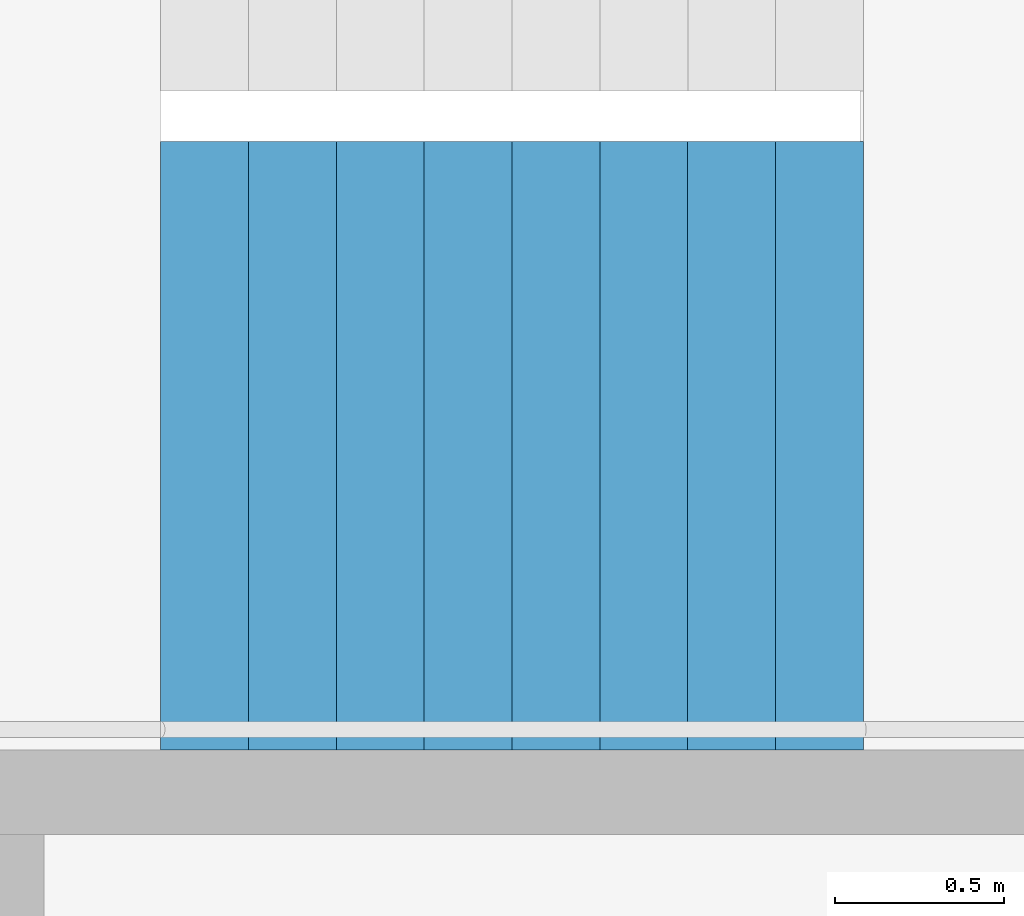
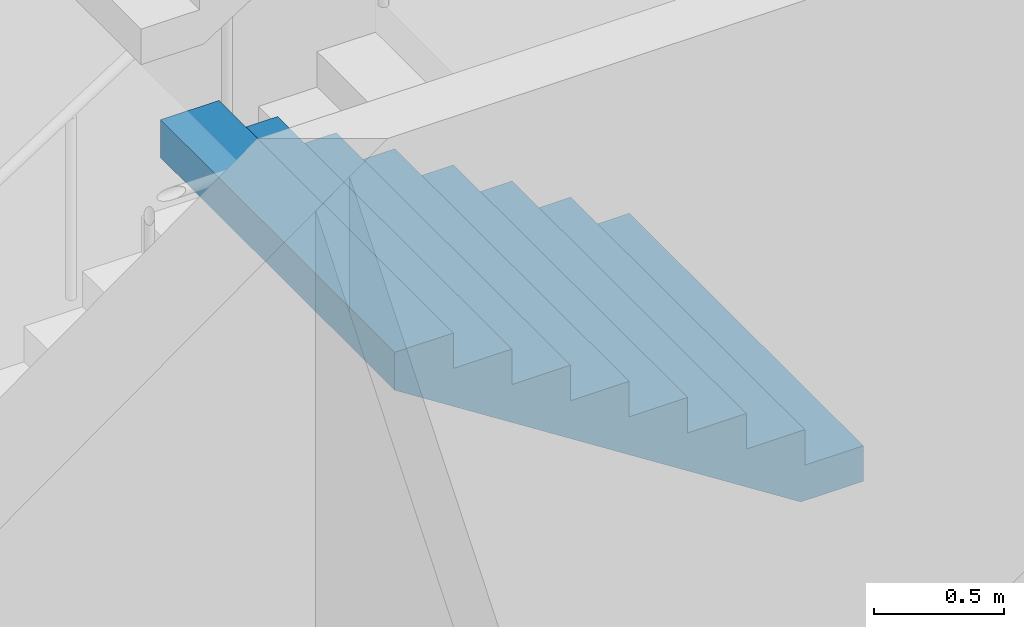
# One storey, part 31 of 35: 1 stair flight, 1 element without a shape of its own.
"""IFC4 building model written with IfcOpenShell, lengths in metres."""

import ifcopenshell
import ifcopenshell.guid

model = None  # the IFC model being written
_history = None  # IfcOwnerHistory: only IFC2X3 demands one
_inside = {}  # id of a spatial element -> (the spatial element, [elements in it])
_under = {}  # id of a project, library or spatial element -> (it, [spatial elements below it])
_declared = {}  # id of a project -> (the project, [libraries it declares])
_typed = {}  # id of a type object -> (the type object, [elements of that type])
_made_of = {}  # id of a material, layer set ... -> (it, [elements and type objects made of it])


def new_model(schema):
    """Start an empty IFC model of exactly this schema.

    Asked for "IFC4X3", IfcOpenShell would pick the latest addendum, in which some entities
    have other attributes; the version numbers below select the first issue.
    IFC2X3 requires an IfcOwnerHistory on every rooted entity: one is made here for all.
    """
    global model, _history
    if schema == "IFC4X3":
        model = ifcopenshell.file(schema_version=(4, 3, 0, 0))
    else:
        model = ifcopenshell.file(schema=schema)
    _inside.clear()
    _under.clear()
    _declared.clear()
    _typed.clear()
    _made_of.clear()
    _history = None
    if model.schema == "IFC2X3":
        org = make("IfcOrganization", Name="unknown")
        user = make(
            "IfcPersonAndOrganization",
            ThePerson=make("IfcPerson", FamilyName="unknown"),
            TheOrganization=org,
        )
        app = make(
            "IfcApplication",
            ApplicationDeveloper=org,
            Version="unknown",
            ApplicationFullName="unknown",
            ApplicationIdentifier="unknown",
        )
        _history = make(
            "IfcOwnerHistory",
            OwningUser=user,
            OwningApplication=app,
            ChangeAction="ADDED",
            CreationDate=0,
        )
    return model


def make(cls, **values):
    """One entity of the class cls with the attributes given. An attribute that is None is left unset."""
    return model.create_entity(
        cls, **{name: value for name, value in values.items() if value is not None}
    )


def rooted(cls, **values):
    """An entity with a GlobalId (a new one), such as an element, a storey or a relation."""
    return make(cls, GlobalId=ifcopenshell.guid.new(), OwnerHistory=_history, **values)


def si_unit(unit_type, name, prefix=None):
    """IfcSIUnit, for example si_unit("LENGTHUNIT", "METRE", prefix="MILLI")."""
    return make("IfcSIUnit", UnitType=unit_type, Prefix=prefix, Name=name)


def assignment(units):
    """IfcUnitAssignment: the units of a project."""
    return None if units is None else make("IfcUnitAssignment", Units=units)


def point(xyz):
    """IfcCartesianPoint."""
    return None if xyz is None else make("IfcCartesianPoint", Coordinates=xyz)


def direction(xyz):
    """IfcDirection."""
    return None if xyz is None else make("IfcDirection", DirectionRatios=xyz)


def frame(location, z_axis=None, x_axis=None):
    """IfcAxis2Placement3D, a coordinate frame: its origin and axes. An axis left out is left unset."""
    return make(
        "IfcAxis2Placement3D",
        Location=point(location),
        Axis=direction(z_axis),
        RefDirection=direction(x_axis),
    )


def origin():
    """The frame at (0, 0, 0) with its axes left unset."""
    return frame((0.0, 0.0, 0.0))


def place(relative_to, where):
    """IfcLocalPlacement: puts the frame where relative to a parent placement (None: the world)."""
    return make(
        "IfcLocalPlacement", PlacementRelTo=relative_to, RelativePlacement=where
    )


def context(
    kind, dimensions, precision=None, world=None, true_north=None, identifier=None
):
    """IfcGeometricRepresentationContext, for example the 3D "Model" context."""
    return make(
        "IfcGeometricRepresentationContext",
        ContextIdentifier=identifier,
        ContextType=kind,
        CoordinateSpaceDimension=dimensions,
        Precision=precision,
        WorldCoordinateSystem=world,
        TrueNorth=true_north,
    )


def subcontext(parent, identifier, kind, view, scale=None):
    """IfcGeometricRepresentationSubContext, for example "Body" below "Model"."""
    return make(
        "IfcGeometricRepresentationSubContext",
        ContextIdentifier=identifier,
        ContextType=kind,
        ParentContext=parent,
        TargetScale=scale,
        TargetView=view,
    )


def project(units=None, contexts=None):
    """IfcProject with its units and contexts."""
    return rooted(
        "IfcProject",
        Name="project",
        RepresentationContexts=contexts,
        UnitsInContext=assignment(units),
    )


def spatial(cls, under=None, at=None, **own):
    """A site, building, storey or space (cls), placed at a placement, below another one or the project."""
    s = rooted(cls, ObjectPlacement=at, **own)
    if under is not None:
        _under.setdefault(under.id(), (under, []))[1].append(s)
    return s


def point_list(points):
    """IfcCartesianPointList2D or 3D."""
    cls = (
        "IfcCartesianPointList2D" if len(points[0]) == 2 else "IfcCartesianPointList3D"
    )
    return make(cls, CoordList=points)


def triangles(points, corners, closed=None, point_numbers=None):
    """IfcTriangulatedFaceSet: each triangle names its three corners, points numbered from 1."""
    return make(
        "IfcTriangulatedFaceSet",
        Coordinates=point_list(points),
        Closed=closed,
        CoordIndex=corners,
        PnIndex=point_numbers,
    )


def shape(context_of_items, identifier, shape_type, items):
    """IfcShapeRepresentation: the items that make up one representation, for example the "Body"."""
    return make(
        "IfcShapeRepresentation",
        ContextOfItems=context_of_items,
        RepresentationIdentifier=identifier,
        RepresentationType=shape_type,
        Items=items,
    )


def material(Name=None, Category=None):
    """IfcMaterial."""
    return make("IfcMaterial", Name=Name, Category=Category)


def made_of(thing, what):
    """Note that an element or type object is made of a material, layer set ...; save() writes the relation."""
    if what is not None:
        _made_of.setdefault(what.id(), (what, []))[1].append(thing)
    return thing


def type_object(cls, material=None, **own):
    """A type object (cls), such as IfcWallType, which elements share."""
    return made_of(rooted(cls, **own), material)


def element(
    cls,
    number,
    at=None,
    inside=None,
    cuts=None,
    type_object=None,
    material=None,
    context=None,
    identifier="Body",
    shape_type=None,
    held_by="IfcProductDefinitionShape",
    body=None,
    shapes=None,
    **own,
):
    """One element of the class cls, such as IfcWall. Its Tag is "e" and its number.

    at: its placement. inside: the storey or other place that contains it. cuts: it is an
    opening in that element (IfcRelVoidsElement). A single representation is given by context,
    identifier, shape_type and body (its items); several are given by shapes. held_by: the class
    of the entity that holds the representations. save() writes the other relations.
    """
    e = rooted(cls, Tag="e%d" % number, ObjectPlacement=at, **own)
    if body is not None:
        shapes = [shape(context, identifier, shape_type, body)]
    if shapes is not None:
        e.Representation = make(held_by, Representations=shapes)
    if inside is not None:
        _inside.setdefault(inside.id(), (inside, []))[1].append(e)
    if cuts is not None:
        rooted(
            "IfcRelVoidsElement", RelatingBuildingElement=cuts, RelatedOpeningElement=e
        )
    if type_object is not None:
        _typed.setdefault(type_object.id(), (type_object, []))[1].append(e)
    return made_of(e, material)


def aggregate(whole, parts):
    """IfcRelAggregates: a whole, such as a stair, and the parts it consists of."""
    return rooted("IfcRelAggregates", RelatingObject=whole, RelatedObjects=parts)


def save(model, path):
    """Write the relations noted so far, then the file.

    IfcRelAggregates (storeys below a building ...), IfcRelContainedInSpatialStructure (elements
    in a storey), IfcRelDefinesByType, IfcRelAssociatesMaterial and IfcRelDeclares: one each for
    every whole, place, type object, material and project.
    """
    for whole, parts in _under.values():
        aggregate(whole, parts)
    for where, things in _inside.values():
        rooted(
            "IfcRelContainedInSpatialStructure",
            RelatedElements=things,
            RelatingStructure=where,
        )
    for kind, things in _typed.values():
        rooted("IfcRelDefinesByType", RelatedObjects=things, RelatingType=kind)
    for what, things in _made_of.values():
        rooted("IfcRelAssociatesMaterial", RelatedObjects=things, RelatingMaterial=what)
    for by, libraries in _declared.values():
        rooted("IfcRelDeclares", RelatingContext=by, RelatedDefinitions=libraries)
    model.write(path)


model = new_model("IFC4")

# Units and contexts
model_context = context("Model", 3, precision=1e-05, world=origin(), true_north=direction((0.0, 1.0)))
body_context = subcontext(model_context, "Body", "Model", "MODEL_VIEW")
ifc_project = project(units=[si_unit("LENGTHUNIT", "METRE"), si_unit("AREAUNIT", "SQUARE_METRE"), si_unit("VOLUMEUNIT", "CUBIC_METRE"), si_unit("PLANEANGLEUNIT", "RADIAN"), si_unit("MASSUNIT", "GRAM", prefix="KILO")], contexts=[model_context])

# Site, building, storey
site_placement = place(None, origin())
site = spatial("IfcSite", under=ifc_project, at=site_placement, CompositionType="ELEMENT")
building_placement = place(site_placement, origin())
building = spatial("IfcBuilding", under=site, at=building_placement, Name="Hakoniwa Tower and Hamabe Station Hall", CompositionType="ELEMENT")
storey_placement = place(building_placement, frame((0.0, 0.0, 270.60009765625)))
storey = spatial("IfcBuildingStorey", under=building, at=storey_placement, Name="L76", CompositionType="ELEMENT", Elevation=270.60009765625)

# Stair, stair flight
ifc_material_1 = material(Name="Concrete C40", Category="concrete")
stair_type = type_object("IfcStairType", Name="ESCAPE STAIR 1800", PredefinedType="HALF_TURN_STAIR", material=ifc_material_1)
stair_placement = place(storey_placement, origin())
stair = element("IfcStair", 1, at=stair_placement, inside=storey, type_object=stair_type, Name="Escape stair ST-3 L76", PredefinedType="HALF_TURN_STAIR")
ifc_material_2 = material(Name="Concrete C40", Category="concrete")
stair_flight_type = type_object("IfcStairFlightType", Name="STAIR FLIGHT 1800", PredefinedType="STRAIGHT", material=ifc_material_2)
stair_flight_placement = place(storey_placement, frame((24.39990234375, 4.64990234375, 3.0), z_axis=(0.0, 0.0, 1.0), x_axis=(-1.0, 0.0, 0.0)))
stair_flight = element("IfcStairFlight", 2, at=stair_flight_placement, type_object=stair_flight_type, Name="ST-3 flight 3", NumberOfRisers=9, NumberOfTreads=8, PredefinedType="STRAIGHT", RiserHeight=0.166666667, TreadLength=0.26, context=body_context, shape_type="Tessellation", body=[
    triangles([(0.0, 0.89990234375, 0.0), (0.260009765625, 0.89990234375, 0.0), (0.27783203125, 0.89990234375, 0.0), (0.52001953125, 0.89990234375, 0.1552734375), (0.780029296875, 0.89990234375, 0.322021484375), (1.0400390625, 0.89990234375, 0.488525390625), (1.300048828125, 0.89990234375, 0.6552734375), (1.56005859375, 0.89990234375, 0.822021484375), (1.820068359375, 0.89990234375, 0.988525390625), (2.080078125, 0.89990234375, 1.1552734375), (2.080078125, 0.89990234375, 1.333251953125), (1.820068359375, 0.89990234375, 1.333251953125), (1.820068359375, 0.89990234375, 1.166748046875), (1.56005859375, 0.89990234375, 1.166748046875), (1.56005859375, 0.89990234375, 1.0), (1.300048828125, 0.89990234375, 1.0), (1.300048828125, 0.89990234375, 0.833251953125), (1.0400390625, 0.89990234375, 0.833251953125), (1.0400390625, 0.89990234375, 0.666748046875), (0.780029296875, 0.89990234375, 0.666748046875), (0.780029296875, 0.89990234375, 0.5), (0.52001953125, 0.89990234375, 0.5), (0.52001953125, 0.89990234375, 0.333251953125), (0.27783203125, 0.89990234375, 0.333251953125), (0.260009765625, 0.89990234375, 0.333251953125), (0.260009765625, 0.89990234375, 0.166748046875), (0.0, 0.89990234375, 0.166748046875), (0.0, 0.06005859375, 0.0), (0.260009765625, 0.06005859375, 0.0), (0.27783203125, 0.06005859375, 0.0), (0.52001953125, 0.06005859375, 0.1552734375), (0.780029296875, 0.06005859375, 0.322021484375), (1.0400390625, 0.06005859375, 0.488525390625), (1.300048828125, 0.06005859375, 0.6552734375), (1.56005859375, 0.06005859375, 0.822021484375), (1.820068359375, 0.06005859375, 0.988525390625), (2.080078125, 0.06005859375, 1.1552734375), (2.080078125, 0.06005859375, 1.333251953125), (1.820068359375, 0.06005859375, 1.333251953125), (1.820068359375, 0.06005859375, 1.166748046875), (1.56005859375, 0.06005859375, 1.166748046875), (1.56005859375, 0.06005859375, 1.0), (1.300048828125, 0.06005859375, 1.0), (1.300048828125, 0.06005859375, 0.833251953125), (1.0400390625, 0.06005859375, 0.833251953125), (1.0400390625, 0.06005859375, 0.666748046875), (0.780029296875, 0.06005859375, 0.666748046875), (0.780029296875, 0.06005859375, 0.5), (0.52001953125, 0.06005859375, 0.5), (0.52001953125, 0.06005859375, 0.333251953125), (0.27783203125, 0.06005859375, 0.333251953125), (0.260009765625, 0.06005859375, 0.333251953125), (0.260009765625, 0.06005859375, 0.166748046875), (0.0, 0.06005859375, 0.166748046875), (0.0, 0.04296875, 0.0), (0.260009765625, 0.04296875, 0.0), (0.27783203125, 0.04296875, 0.0), (0.52001953125, 0.04296875, 0.1552734375), (0.780029296875, 0.04296875, 0.322021484375), (1.0400390625, 0.04296875, 0.488525390625), (1.300048828125, 0.04296875, 0.6552734375), (1.56005859375, 0.04296875, 0.822021484375), (1.820068359375, 0.04296875, 0.988525390625), (2.080078125, 0.04296875, 1.1552734375), (2.080078125, 0.04296875, 1.333251953125), (1.820068359375, 0.04296875, 1.333251953125), (1.820068359375, 0.04296875, 1.166748046875), (1.56005859375, 0.04296875, 1.166748046875), (1.56005859375, 0.04296875, 1.0), (1.300048828125, 0.04296875, 1.0), (1.300048828125, 0.04296875, 0.833251953125), (1.0400390625, 0.04296875, 0.833251953125), (1.0400390625, 0.04296875, 0.666748046875), (0.780029296875, 0.04296875, 0.666748046875), (0.780029296875, 0.04296875, 0.5), (0.52001953125, 0.04296875, 0.5), (0.52001953125, 0.04296875, 0.333251953125), (0.27783203125, 0.04296875, 0.333251953125), (0.260009765625, 0.04296875, 0.333251953125), (0.260009765625, 0.04296875, 0.166748046875), (0.0, 0.04296875, 0.166748046875), (0.0, 0.025634765625, 0.0), (0.260009765625, 0.025634765625, 0.0), (0.27783203125, 0.025634765625, 0.0), (0.52001953125, 0.025634765625, 0.1552734375), (0.780029296875, 0.025634765625, 0.322021484375), (1.0400390625, 0.025634765625, 0.488525390625), (1.300048828125, 0.025634765625, 0.6552734375), (1.56005859375, 0.025634765625, 0.822021484375), (1.820068359375, 0.025634765625, 0.988525390625), (2.080078125, 0.025634765625, 1.1552734375), (2.080078125, 0.025634765625, 1.333251953125), (1.820068359375, 0.025634765625, 1.333251953125), (1.820068359375, 0.025634765625, 1.166748046875), (1.56005859375, 0.025634765625, 1.166748046875), (1.56005859375, 0.025634765625, 1.0), (1.300048828125, 0.025634765625, 1.0), (1.300048828125, 0.025634765625, 0.833251953125), (1.0400390625, 0.025634765625, 0.833251953125), (1.0400390625, 0.025634765625, 0.666748046875), (0.780029296875, 0.025634765625, 0.666748046875), (0.780029296875, 0.025634765625, 0.5), (0.52001953125, 0.025634765625, 0.5), (0.52001953125, 0.025634765625, 0.333251953125), (0.27783203125, 0.025634765625, 0.333251953125), (0.260009765625, 0.025634765625, 0.333251953125), (0.260009765625, 0.025634765625, 0.166748046875), (0.0, 0.025634765625, 0.166748046875), (0.0, 0.008544921875, 0.0), (0.260009765625, 0.008544921875, 0.0), (0.27783203125, 0.008544921875, 0.0), (0.52001953125, 0.008544921875, 0.1552734375), (0.780029296875, 0.008544921875, 0.322021484375), (1.0400390625, 0.008544921875, 0.488525390625), (1.300048828125, 0.008544921875, 0.6552734375), (1.56005859375, 0.008544921875, 0.822021484375), (1.820068359375, 0.008544921875, 0.988525390625), (2.080078125, 0.008544921875, 1.1552734375), (2.080078125, 0.008544921875, 1.333251953125), (1.820068359375, 0.008544921875, 1.333251953125), (1.820068359375, 0.008544921875, 1.166748046875), (1.56005859375, 0.008544921875, 1.166748046875), (1.56005859375, 0.008544921875, 1.0), (1.300048828125, 0.008544921875, 1.0), (1.300048828125, 0.008544921875, 0.833251953125), (1.0400390625, 0.008544921875, 0.833251953125), (1.0400390625, 0.008544921875, 0.666748046875), (0.780029296875, 0.008544921875, 0.666748046875), (0.780029296875, 0.008544921875, 0.5), (0.52001953125, 0.008544921875, 0.5), (0.52001953125, 0.008544921875, 0.333251953125), (0.27783203125, 0.008544921875, 0.333251953125), (0.260009765625, 0.008544921875, 0.333251953125), (0.260009765625, 0.008544921875, 0.166748046875), (0.0, 0.008544921875, 0.166748046875), (0.0, -0.008544921875, 0.0), (0.260009765625, -0.008544921875, 0.0), (0.27783203125, -0.008544921875, 0.0), (0.52001953125, -0.008544921875, 0.1552734375), (0.780029296875, -0.008544921875, 0.322021484375), (1.0400390625, -0.008544921875, 0.488525390625), (1.300048828125, -0.008544921875, 0.6552734375), (1.56005859375, -0.008544921875, 0.822021484375), (1.820068359375, -0.008544921875, 0.988525390625), (2.080078125, -0.008544921875, 1.1552734375), (2.080078125, -0.008544921875, 1.333251953125), (1.820068359375, -0.008544921875, 1.333251953125), (1.820068359375, -0.008544921875, 1.166748046875), (1.56005859375, -0.008544921875, 1.166748046875), (1.56005859375, -0.008544921875, 1.0), (1.300048828125, -0.008544921875, 1.0), (1.300048828125, -0.008544921875, 0.833251953125), (1.0400390625, -0.008544921875, 0.833251953125), (1.0400390625, -0.008544921875, 0.666748046875), (0.780029296875, -0.008544921875, 0.666748046875), (0.780029296875, -0.008544921875, 0.5), (0.52001953125, -0.008544921875, 0.5), (0.52001953125, -0.008544921875, 0.333251953125), (0.27783203125, -0.008544921875, 0.333251953125), (0.260009765625, -0.008544921875, 0.333251953125), (0.260009765625, -0.008544921875, 0.166748046875), (0.0, -0.008544921875, 0.166748046875), (0.0, -0.025634765625, 0.0), (0.260009765625, -0.025634765625, 0.0), (0.27783203125, -0.025634765625, 0.0), (0.52001953125, -0.025634765625, 0.1552734375), (0.780029296875, -0.025634765625, 0.322021484375), (1.0400390625, -0.025634765625, 0.488525390625), (1.300048828125, -0.025634765625, 0.6552734375), (1.56005859375, -0.025634765625, 0.822021484375), (1.820068359375, -0.025634765625, 0.988525390625), (2.080078125, -0.025634765625, 1.1552734375), (2.080078125, -0.025634765625, 1.333251953125), (1.820068359375, -0.025634765625, 1.333251953125), (1.820068359375, -0.025634765625, 1.166748046875), (1.56005859375, -0.025634765625, 1.166748046875), (1.56005859375, -0.025634765625, 1.0), (1.300048828125, -0.025634765625, 1.0), (1.300048828125, -0.025634765625, 0.833251953125), (1.0400390625, -0.025634765625, 0.833251953125), (1.0400390625, -0.025634765625, 0.666748046875), (0.780029296875, -0.025634765625, 0.666748046875), (0.780029296875, -0.025634765625, 0.5), (0.52001953125, -0.025634765625, 0.5), (0.52001953125, -0.025634765625, 0.333251953125), (0.27783203125, -0.025634765625, 0.333251953125), (0.260009765625, -0.025634765625, 0.333251953125), (0.260009765625, -0.025634765625, 0.166748046875), (0.0, -0.025634765625, 0.166748046875), (0.0, -0.04296875, 0.0), (0.260009765625, -0.04296875, 0.0), (0.27783203125, -0.04296875, 0.0), (0.52001953125, -0.04296875, 0.1552734375), (0.780029296875, -0.04296875, 0.322021484375), (1.0400390625, -0.04296875, 0.488525390625), (1.300048828125, -0.04296875, 0.6552734375), (1.56005859375, -0.04296875, 0.822021484375), (1.820068359375, -0.04296875, 0.988525390625), (2.080078125, -0.04296875, 1.1552734375), (2.080078125, -0.04296875, 1.333251953125), (1.820068359375, -0.04296875, 1.333251953125), (1.820068359375, -0.04296875, 1.166748046875), (1.56005859375, -0.04296875, 1.166748046875), (1.56005859375, -0.04296875, 1.0), (1.300048828125, -0.04296875, 1.0), (1.300048828125, -0.04296875, 0.833251953125), (1.0400390625, -0.04296875, 0.833251953125), (1.0400390625, -0.04296875, 0.666748046875), (0.780029296875, -0.04296875, 0.666748046875), (0.780029296875, -0.04296875, 0.5), (0.52001953125, -0.04296875, 0.5), (0.52001953125, -0.04296875, 0.333251953125), (0.27783203125, -0.04296875, 0.333251953125), (0.260009765625, -0.04296875, 0.333251953125), (0.260009765625, -0.04296875, 0.166748046875), (0.0, -0.04296875, 0.166748046875), (0.0, -0.06005859375, 0.0), (0.260009765625, -0.06005859375, 0.0), (0.27783203125, -0.06005859375, 0.0), (0.52001953125, -0.06005859375, 0.1552734375), (0.780029296875, -0.06005859375, 0.322021484375), (1.0400390625, -0.06005859375, 0.488525390625), (1.300048828125, -0.06005859375, 0.6552734375), (1.56005859375, -0.06005859375, 0.822021484375), (1.820068359375, -0.06005859375, 0.988525390625), (2.080078125, -0.06005859375, 1.1552734375), (2.080078125, -0.06005859375, 1.333251953125), (1.820068359375, -0.06005859375, 1.333251953125), (1.820068359375, -0.06005859375, 1.166748046875), (1.56005859375, -0.06005859375, 1.166748046875), (1.56005859375, -0.06005859375, 1.0), (1.300048828125, -0.06005859375, 1.0), (1.300048828125, -0.06005859375, 0.833251953125), (1.0400390625, -0.06005859375, 0.833251953125), (1.0400390625, -0.06005859375, 0.666748046875), (0.780029296875, -0.06005859375, 0.666748046875), (0.780029296875, -0.06005859375, 0.5), (0.52001953125, -0.06005859375, 0.5), (0.52001953125, -0.06005859375, 0.333251953125), (0.27783203125, -0.06005859375, 0.333251953125), (0.260009765625, -0.06005859375, 0.333251953125), (0.260009765625, -0.06005859375, 0.166748046875), (0.0, -0.06005859375, 0.166748046875), (0.0, -0.89990234375, 0.0), (0.260009765625, -0.89990234375, 0.0), (0.27783203125, -0.89990234375, 0.0), (0.52001953125, -0.89990234375, 0.1552734375), (0.780029296875, -0.89990234375, 0.322021484375), (1.0400390625, -0.89990234375, 0.488525390625), (1.300048828125, -0.89990234375, 0.6552734375), (1.56005859375, -0.89990234375, 0.822021484375), (1.820068359375, -0.89990234375, 0.988525390625), (2.080078125, -0.89990234375, 1.1552734375), (2.080078125, -0.89990234375, 1.333251953125), (1.820068359375, -0.89990234375, 1.333251953125), (1.820068359375, -0.89990234375, 1.166748046875), (1.56005859375, -0.89990234375, 1.166748046875), (1.56005859375, -0.89990234375, 1.0), (1.300048828125, -0.89990234375, 1.0), (1.300048828125, -0.89990234375, 0.833251953125), (1.0400390625, -0.89990234375, 0.833251953125), (1.0400390625, -0.89990234375, 0.666748046875), (0.780029296875, -0.89990234375, 0.666748046875), (0.780029296875, -0.89990234375, 0.5), (0.52001953125, -0.89990234375, 0.5), (0.52001953125, -0.89990234375, 0.333251953125), (0.27783203125, -0.89990234375, 0.333251953125), (0.260009765625, -0.89990234375, 0.333251953125), (0.260009765625, -0.89990234375, 0.166748046875), (0.0, -0.89990234375, 0.166748046875)], [[2, 27, 26], [245, 269, 270], [2, 1, 27], [245, 270, 244], [3, 25, 24], [246, 267, 268], [3, 26, 25], [246, 268, 269], [3, 2, 26], [246, 269, 245], [4, 24, 23], [247, 266, 267], [4, 3, 24], [247, 267, 246], [5, 22, 21], [248, 264, 265], [5, 23, 22], [248, 265, 266], [5, 4, 23], [248, 266, 247], [6, 20, 19], [249, 262, 263], [6, 21, 20], [249, 263, 264], [6, 5, 21], [249, 264, 248], [7, 18, 17], [250, 260, 261], [7, 19, 18], [250, 261, 262], [7, 6, 19], [250, 262, 249], [8, 16, 15], [251, 258, 259], [8, 17, 16], [251, 259, 260], [8, 7, 17], [251, 260, 250], [9, 14, 13], [252, 256, 257], [9, 15, 14], [252, 257, 258], [9, 8, 15], [252, 258, 251], [10, 12, 11], [253, 254, 255], [10, 13, 12], [253, 255, 256], [10, 9, 13], [253, 256, 252], [1, 2, 29], [1, 29, 28], [28, 29, 56], [28, 56, 55], [55, 56, 83], [55, 83, 82], [82, 83, 110], [82, 110, 109], [109, 110, 137], [109, 137, 136], [136, 137, 164], [136, 164, 163], [163, 164, 191], [163, 191, 190], [190, 191, 218], [190, 218, 217], [217, 218, 245], [217, 245, 244], [2, 3, 30], [2, 30, 29], [29, 30, 57], [29, 57, 56], [56, 57, 84], [56, 84, 83], [83, 84, 111], [83, 111, 110], [110, 111, 138], [110, 138, 137], [137, 138, 165], [137, 165, 164], [164, 165, 192], [164, 192, 191], [191, 192, 219], [191, 219, 218], [218, 219, 246], [218, 246, 245], [3, 4, 31], [3, 31, 30], [30, 31, 58], [30, 58, 57], [57, 58, 85], [57, 85, 84], [84, 85, 112], [84, 112, 111], [111, 112, 139], [111, 139, 138], [138, 139, 166], [138, 166, 165], [165, 166, 193], [165, 193, 192], [192, 193, 220], [192, 220, 219], [219, 220, 247], [219, 247, 246], [4, 5, 32], [4, 32, 31], [31, 32, 59], [31, 59, 58], [58, 59, 86], [58, 86, 85], [85, 86, 113], [85, 113, 112], [112, 113, 140], [112, 140, 139], [139, 140, 167], [139, 167, 166], [166, 167, 194], [166, 194, 193], [193, 194, 221], [193, 221, 220], [220, 221, 248], [220, 248, 247], [5, 6, 33], [5, 33, 32], [32, 33, 60], [32, 60, 59], [59, 60, 87], [59, 87, 86], [86, 87, 114], [86, 114, 113], [113, 114, 141], [113, 141, 140], [140, 141, 168], [140, 168, 167], [167, 168, 195], [167, 195, 194], [194, 195, 222], [194, 222, 221], [221, 222, 249], [221, 249, 248], [6, 7, 34], [6, 34, 33], [33, 34, 61], [33, 61, 60], [60, 61, 88], [60, 88, 87], [87, 88, 115], [87, 115, 114], [114, 115, 142], [114, 142, 141], [141, 142, 169], [141, 169, 168], [168, 169, 196], [168, 196, 195], [195, 196, 223], [195, 223, 222], [222, 223, 250], [222, 250, 249], [7, 8, 35], [7, 35, 34], [34, 35, 62], [34, 62, 61], [61, 62, 89], [61, 89, 88], [88, 89, 116], [88, 116, 115], [115, 116, 143], [115, 143, 142], [142, 143, 170], [142, 170, 169], [169, 170, 197], [169, 197, 196], [196, 197, 224], [196, 224, 223], [223, 224, 251], [223, 251, 250], [8, 9, 36], [8, 36, 35], [35, 36, 63], [35, 63, 62], [62, 63, 90], [62, 90, 89], [89, 90, 117], [89, 117, 116], [116, 117, 144], [116, 144, 143], [143, 144, 171], [143, 171, 170], [170, 171, 198], [170, 198, 197], [197, 198, 225], [197, 225, 224], [224, 225, 252], [224, 252, 251], [9, 10, 37], [9, 37, 36], [36, 37, 64], [36, 64, 63], [63, 64, 91], [63, 91, 90], [90, 91, 118], [90, 118, 117], [117, 118, 145], [117, 145, 144], [144, 145, 172], [144, 172, 171], [171, 172, 199], [171, 199, 198], [198, 199, 226], [198, 226, 225], [225, 226, 253], [225, 253, 252], [10, 11, 38], [10, 38, 37], [37, 38, 65], [37, 65, 64], [64, 65, 92], [64, 92, 91], [91, 92, 119], [91, 119, 118], [118, 119, 146], [118, 146, 145], [145, 146, 173], [145, 173, 172], [172, 173, 200], [172, 200, 199], [199, 200, 227], [199, 227, 226], [226, 227, 254], [226, 254, 253], [11, 12, 39], [11, 39, 38], [38, 39, 66], [38, 66, 65], [65, 66, 93], [65, 93, 92], [92, 93, 120], [92, 120, 119], [119, 120, 147], [119, 147, 146], [146, 147, 174], [146, 174, 173], [173, 174, 201], [173, 201, 200], [200, 201, 228], [200, 228, 227], [227, 228, 255], [227, 255, 254], [12, 13, 40], [12, 40, 39], [39, 40, 67], [39, 67, 66], [66, 67, 94], [66, 94, 93], [93, 94, 121], [93, 121, 120], [120, 121, 148], [120, 148, 147], [147, 148, 175], [147, 175, 174], [174, 175, 202], [174, 202, 201], [201, 202, 229], [201, 229, 228], [228, 229, 256], [228, 256, 255], [13, 14, 41], [13, 41, 40], [40, 41, 68], [40, 68, 67], [67, 68, 95], [67, 95, 94], [94, 95, 122], [94, 122, 121], [121, 122, 149], [121, 149, 148], [148, 149, 176], [148, 176, 175], [175, 176, 203], [175, 203, 202], [202, 203, 230], [202, 230, 229], [229, 230, 257], [229, 257, 256], [14, 15, 42], [14, 42, 41], [41, 42, 69], [41, 69, 68], [68, 69, 96], [68, 96, 95], [95, 96, 123], [95, 123, 122], [122, 123, 150], [122, 150, 149], [149, 150, 177], [149, 177, 176], [176, 177, 204], [176, 204, 203], [203, 204, 231], [203, 231, 230], [230, 231, 258], [230, 258, 257], [15, 16, 43], [15, 43, 42], [42, 43, 70], [42, 70, 69], [69, 70, 97], [69, 97, 96], [96, 97, 124], [96, 124, 123], [123, 124, 151], [123, 151, 150], [150, 151, 178], [150, 178, 177], [177, 178, 205], [177, 205, 204], [204, 205, 232], [204, 232, 231], [231, 232, 259], [231, 259, 258], [16, 17, 44], [16, 44, 43], [43, 44, 71], [43, 71, 70], [70, 71, 98], [70, 98, 97], [97, 98, 125], [97, 125, 124], [124, 125, 152], [124, 152, 151], [151, 152, 179], [151, 179, 178], [178, 179, 206], [178, 206, 205], [205, 206, 233], [205, 233, 232], [232, 233, 260], [232, 260, 259], [17, 18, 45], [17, 45, 44], [44, 45, 72], [44, 72, 71], [71, 72, 99], [71, 99, 98], [98, 99, 126], [98, 126, 125], [125, 126, 153], [125, 153, 152], [152, 153, 180], [152, 180, 179], [179, 180, 207], [179, 207, 206], [206, 207, 234], [206, 234, 233], [233, 234, 261], [233, 261, 260], [18, 19, 46], [18, 46, 45], [45, 46, 73], [45, 73, 72], [72, 73, 100], [72, 100, 99], [99, 100, 127], [99, 127, 126], [126, 127, 154], [126, 154, 153], [153, 154, 181], [153, 181, 180], [180, 181, 208], [180, 208, 207], [207, 208, 235], [207, 235, 234], [234, 235, 262], [234, 262, 261], [19, 20, 47], [19, 47, 46], [46, 47, 74], [46, 74, 73], [73, 74, 101], [73, 101, 100], [100, 101, 128], [100, 128, 127], [127, 128, 155], [127, 155, 154], [154, 155, 182], [154, 182, 181], [181, 182, 209], [181, 209, 208], [208, 209, 236], [208, 236, 235], [235, 236, 263], [235, 263, 262], [20, 21, 48], [20, 48, 47], [47, 48, 75], [47, 75, 74], [74, 75, 102], [74, 102, 101], [101, 102, 129], [101, 129, 128], [128, 129, 156], [128, 156, 155], [155, 156, 183], [155, 183, 182], [182, 183, 210], [182, 210, 209], [209, 210, 237], [209, 237, 236], [236, 237, 264], [236, 264, 263], [21, 22, 49], [21, 49, 48], [48, 49, 76], [48, 76, 75], [75, 76, 103], [75, 103, 102], [102, 103, 130], [102, 130, 129], [129, 130, 157], [129, 157, 156], [156, 157, 184], [156, 184, 183], [183, 184, 211], [183, 211, 210], [210, 211, 238], [210, 238, 237], [237, 238, 265], [237, 265, 264], [22, 23, 50], [22, 50, 49], [49, 50, 77], [49, 77, 76], [76, 77, 104], [76, 104, 103], [103, 104, 131], [103, 131, 130], [130, 131, 158], [130, 158, 157], [157, 158, 185], [157, 185, 184], [184, 185, 212], [184, 212, 211], [211, 212, 239], [211, 239, 238], [238, 239, 266], [238, 266, 265], [23, 24, 51], [23, 51, 50], [50, 51, 78], [50, 78, 77], [77, 78, 105], [77, 105, 104], [104, 105, 132], [104, 132, 131], [131, 132, 159], [131, 159, 158], [158, 159, 186], [158, 186, 185], [185, 186, 213], [185, 213, 212], [212, 213, 240], [212, 240, 239], [239, 240, 267], [239, 267, 266], [24, 25, 52], [24, 52, 51], [51, 52, 79], [51, 79, 78], [78, 79, 106], [78, 106, 105], [105, 106, 133], [105, 133, 132], [132, 133, 160], [132, 160, 159], [159, 160, 187], [159, 187, 186], [186, 187, 214], [186, 214, 213], [213, 214, 241], [213, 241, 240], [240, 241, 268], [240, 268, 267], [25, 26, 53], [25, 53, 52], [52, 53, 80], [52, 80, 79], [79, 80, 107], [79, 107, 106], [106, 107, 134], [106, 134, 133], [133, 134, 161], [133, 161, 160], [160, 161, 188], [160, 188, 187], [187, 188, 215], [187, 215, 214], [214, 215, 242], [214, 242, 241], [241, 242, 269], [241, 269, 268], [26, 27, 54], [26, 54, 53], [53, 54, 81], [53, 81, 80], [80, 81, 108], [80, 108, 107], [107, 108, 135], [107, 135, 134], [134, 135, 162], [134, 162, 161], [161, 162, 189], [161, 189, 188], [188, 189, 216], [188, 216, 215], [215, 216, 243], [215, 243, 242], [242, 243, 270], [242, 270, 269], [27, 1, 28], [27, 28, 54], [54, 28, 55], [54, 55, 81], [81, 55, 82], [81, 82, 108], [108, 82, 109], [108, 109, 135], [135, 109, 136], [135, 136, 162], [162, 136, 163], [162, 163, 189], [189, 163, 190], [189, 190, 216], [216, 190, 217], [216, 217, 243], [243, 217, 244], [243, 244, 270]], closed=True),
])
aggregate(stair, [stair_flight])

save(model, "model.ifc")
